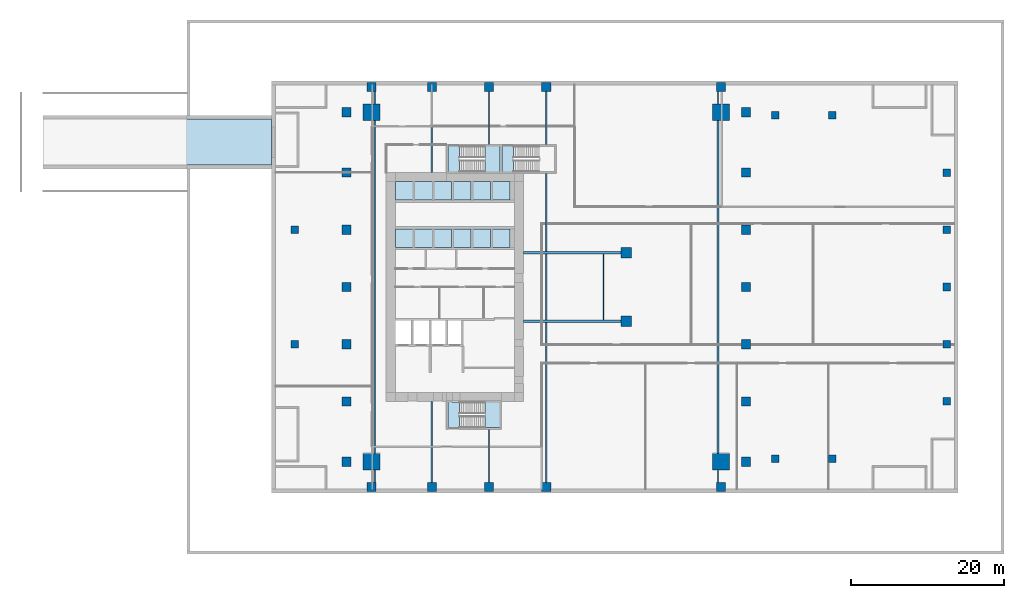
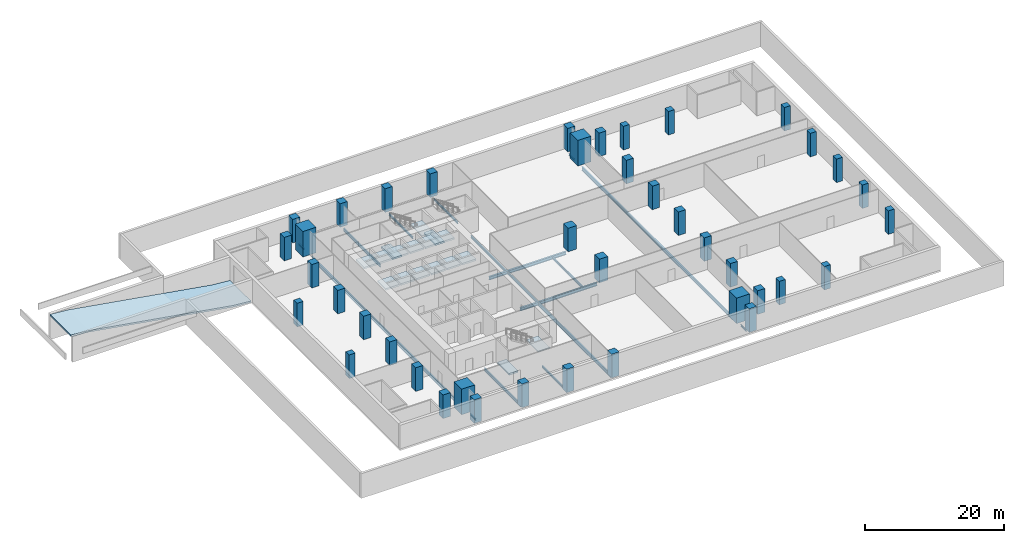
# One storey, part 1 of 11: 41 columns, 18 slabs, 17 beams, 2 elements without a shape of their own.
"""IFC4 building model written with IfcOpenShell, lengths in metres."""

import ifcopenshell
import ifcopenshell.guid

model = None  # the IFC model being written
_history = None  # IfcOwnerHistory: only IFC2X3 demands one
_inside = {}  # id of a spatial element -> (the spatial element, [elements in it])
_under = {}  # id of a project, library or spatial element -> (it, [spatial elements below it])
_declared = {}  # id of a project -> (the project, [libraries it declares])
_typed = {}  # id of a type object -> (the type object, [elements of that type])
_made_of = {}  # id of a material, layer set ... -> (it, [elements and type objects made of it])


def new_model(schema):
    """Start an empty IFC model of exactly this schema.

    Asked for "IFC4X3", IfcOpenShell would pick the latest addendum, in which some entities
    have other attributes; the version numbers below select the first issue.
    IFC2X3 requires an IfcOwnerHistory on every rooted entity: one is made here for all.
    """
    global model, _history
    if schema == "IFC4X3":
        model = ifcopenshell.file(schema_version=(4, 3, 0, 0))
    else:
        model = ifcopenshell.file(schema=schema)
    _inside.clear()
    _under.clear()
    _declared.clear()
    _typed.clear()
    _made_of.clear()
    _history = None
    if model.schema == "IFC2X3":
        org = make("IfcOrganization", Name="unknown")
        user = make(
            "IfcPersonAndOrganization",
            ThePerson=make("IfcPerson", FamilyName="unknown"),
            TheOrganization=org,
        )
        app = make(
            "IfcApplication",
            ApplicationDeveloper=org,
            Version="unknown",
            ApplicationFullName="unknown",
            ApplicationIdentifier="unknown",
        )
        _history = make(
            "IfcOwnerHistory",
            OwningUser=user,
            OwningApplication=app,
            ChangeAction="ADDED",
            CreationDate=0,
        )
    return model


def make(cls, **values):
    """One entity of the class cls with the attributes given. An attribute that is None is left unset."""
    return model.create_entity(
        cls, **{name: value for name, value in values.items() if value is not None}
    )


def rooted(cls, **values):
    """An entity with a GlobalId (a new one), such as an element, a storey or a relation."""
    return make(cls, GlobalId=ifcopenshell.guid.new(), OwnerHistory=_history, **values)


def si_unit(unit_type, name, prefix=None):
    """IfcSIUnit, for example si_unit("LENGTHUNIT", "METRE", prefix="MILLI")."""
    return make("IfcSIUnit", UnitType=unit_type, Prefix=prefix, Name=name)


def assignment(units):
    """IfcUnitAssignment: the units of a project."""
    return None if units is None else make("IfcUnitAssignment", Units=units)


def point(xyz):
    """IfcCartesianPoint."""
    return None if xyz is None else make("IfcCartesianPoint", Coordinates=xyz)


def direction(xyz):
    """IfcDirection."""
    return None if xyz is None else make("IfcDirection", DirectionRatios=xyz)


def frame(location, z_axis=None, x_axis=None):
    """IfcAxis2Placement3D, a coordinate frame: its origin and axes. An axis left out is left unset."""
    return make(
        "IfcAxis2Placement3D",
        Location=point(location),
        Axis=direction(z_axis),
        RefDirection=direction(x_axis),
    )


def frame_2d(location, x_axis=None):
    """IfcAxis2Placement2D, a coordinate frame in the plane: its origin and x axis."""
    return make(
        "IfcAxis2Placement2D", Location=point(location), RefDirection=direction(x_axis)
    )


def origin():
    """The frame at (0, 0, 0) with its axes left unset."""
    return frame((0.0, 0.0, 0.0))


def origin_2d():
    """The frame at (0, 0) in the plane with its x axis left unset."""
    return frame_2d((0.0, 0.0))


def place(relative_to, where):
    """IfcLocalPlacement: puts the frame where relative to a parent placement (None: the world)."""
    return make(
        "IfcLocalPlacement", PlacementRelTo=relative_to, RelativePlacement=where
    )


def context(
    kind, dimensions, precision=None, world=None, true_north=None, identifier=None
):
    """IfcGeometricRepresentationContext, for example the 3D "Model" context."""
    return make(
        "IfcGeometricRepresentationContext",
        ContextIdentifier=identifier,
        ContextType=kind,
        CoordinateSpaceDimension=dimensions,
        Precision=precision,
        WorldCoordinateSystem=world,
        TrueNorth=true_north,
    )


def subcontext(parent, identifier, kind, view, scale=None):
    """IfcGeometricRepresentationSubContext, for example "Body" below "Model"."""
    return make(
        "IfcGeometricRepresentationSubContext",
        ContextIdentifier=identifier,
        ContextType=kind,
        ParentContext=parent,
        TargetScale=scale,
        TargetView=view,
    )


def project(units=None, contexts=None):
    """IfcProject with its units and contexts."""
    return rooted(
        "IfcProject",
        Name="project",
        RepresentationContexts=contexts,
        UnitsInContext=assignment(units),
    )


def spatial(cls, under=None, at=None, **own):
    """A site, building, storey or space (cls), placed at a placement, below another one or the project."""
    s = rooted(cls, ObjectPlacement=at, **own)
    if under is not None:
        _under.setdefault(under.id(), (under, []))[1].append(s)
    return s


def polyline(points):
    """IfcPolyline through the points."""
    return make("IfcPolyline", Points=[point(p) for p in points])


def profile(cls, at=None, kind="AREA", **sizes):
    """A parametric profile (cls). Its sizes go by their IFC names, for example OverallWidth=200.0."""
    return make(cls, ProfileType=kind, Position=at, **sizes)


def rectangle(**sizes):
    """IfcRectangleProfileDef."""
    return profile("IfcRectangleProfileDef", **sizes)


def i_section(**sizes):
    """IfcIShapeProfileDef."""
    return profile("IfcIShapeProfileDef", **sizes)


def outline(outer, holes=None, kind="AREA"):
    """IfcArbitraryClosedProfileDef: a profile drawn as a closed curve; with holes, ...WithVoids."""
    if holes is None:
        return make("IfcArbitraryClosedProfileDef", ProfileType=kind, OuterCurve=outer)
    return make(
        "IfcArbitraryProfileDefWithVoids",
        ProfileType=kind,
        OuterCurve=outer,
        InnerCurves=holes,
    )


def extrude(swept, where, along, depth):
    """IfcExtrudedAreaSolid: the profile swept, set in the frame where, extruded along a direction by depth."""
    return make(
        "IfcExtrudedAreaSolid",
        SweptArea=swept,
        Position=where,
        ExtrudedDirection=direction(along),
        Depth=depth,
    )


def shape(context_of_items, identifier, shape_type, items):
    """IfcShapeRepresentation: the items that make up one representation, for example the "Body"."""
    return make(
        "IfcShapeRepresentation",
        ContextOfItems=context_of_items,
        RepresentationIdentifier=identifier,
        RepresentationType=shape_type,
        Items=items,
    )


def source(mapping_origin, context_of_items, identifier, shape_type, items):
    """IfcRepresentationMap: a shape defined once, which mapped items show again and again."""
    return make(
        "IfcRepresentationMap",
        MappingOrigin=mapping_origin,
        MappedRepresentation=shape(context_of_items, identifier, shape_type, items),
    )


def transform(
    local_origin,
    x_axis=None,
    y_axis=None,
    z_axis=None,
    scale=None,
    scale2=None,
    scale3=None,
    uniform=True,
):
    """IfcCartesianTransformationOperator3D, or its non-uniform kind. x_axis, y_axis, z_axis: its Axis1, 2, 3."""
    if uniform:
        return make(
            "IfcCartesianTransformationOperator3D",
            Axis1=direction(x_axis),
            Axis2=direction(y_axis),
            LocalOrigin=point(local_origin),
            Scale=scale,
            Axis3=direction(z_axis),
        )
    return make(
        "IfcCartesianTransformationOperator3DnonUniform",
        Axis1=direction(x_axis),
        Axis2=direction(y_axis),
        LocalOrigin=point(local_origin),
        Scale=scale,
        Axis3=direction(z_axis),
        Scale2=scale2,
        Scale3=scale3,
    )


def mapped(mapping_source, mapping_target):
    """IfcMappedItem: shows the shape of a source again, moved by a transform."""
    return make(
        "IfcMappedItem", MappingSource=mapping_source, MappingTarget=mapping_target
    )


def material(Name=None, Category=None):
    """IfcMaterial."""
    return make("IfcMaterial", Name=Name, Category=Category)


def layer(
    of_material, thickness, ventilated=None, Name=None, Category=None, Priority=None
):
    """IfcMaterialLayer: one layer of a wall or slab, of a material (None: an air gap)."""
    return make(
        "IfcMaterialLayer",
        Material=of_material,
        LayerThickness=thickness,
        IsVentilated=ventilated,
        Name=Name,
        Category=Category,
        Priority=Priority,
    )


def layer_set(layers, Name=None):
    """IfcMaterialLayerSet."""
    return make("IfcMaterialLayerSet", MaterialLayers=layers, LayerSetName=Name)


def material_profile(
    of_material, cross_section, Name=None, Category=None, Priority=None
):
    """IfcMaterialProfile: a cross section and its material."""
    return make(
        "IfcMaterialProfile",
        Name=Name,
        Material=of_material,
        Profile=cross_section,
        Priority=Priority,
        Category=Category,
    )


def profile_set(profiles, Name=None, composite=None):
    """IfcMaterialProfileSet."""
    return make(
        "IfcMaterialProfileSet",
        Name=Name,
        MaterialProfiles=profiles,
        CompositeProfile=composite,
    )


def made_of(thing, what):
    """Note that an element or type object is made of a material, layer set ...; save() writes the relation."""
    if what is not None:
        _made_of.setdefault(what.id(), (what, []))[1].append(thing)
    return thing


def type_object(cls, material=None, **own):
    """A type object (cls), such as IfcWallType, which elements share."""
    return made_of(rooted(cls, **own), material)


def element(
    cls,
    number,
    at=None,
    inside=None,
    cuts=None,
    type_object=None,
    material=None,
    context=None,
    identifier="Body",
    shape_type=None,
    held_by="IfcProductDefinitionShape",
    body=None,
    shapes=None,
    **own,
):
    """One element of the class cls, such as IfcWall. Its Tag is "e" and its number.

    at: its placement. inside: the storey or other place that contains it. cuts: it is an
    opening in that element (IfcRelVoidsElement). A single representation is given by context,
    identifier, shape_type and body (its items); several are given by shapes. held_by: the class
    of the entity that holds the representations. save() writes the other relations.
    """
    e = rooted(cls, Tag="e%d" % number, ObjectPlacement=at, **own)
    if body is not None:
        shapes = [shape(context, identifier, shape_type, body)]
    if shapes is not None:
        e.Representation = make(held_by, Representations=shapes)
    if inside is not None:
        _inside.setdefault(inside.id(), (inside, []))[1].append(e)
    if cuts is not None:
        rooted(
            "IfcRelVoidsElement", RelatingBuildingElement=cuts, RelatedOpeningElement=e
        )
    if type_object is not None:
        _typed.setdefault(type_object.id(), (type_object, []))[1].append(e)
    return made_of(e, material)


def aggregate(whole, parts):
    """IfcRelAggregates: a whole, such as a stair, and the parts it consists of."""
    return rooted("IfcRelAggregates", RelatingObject=whole, RelatedObjects=parts)


def save(model, path):
    """Write the relations noted so far, then the file.

    IfcRelAggregates (storeys below a building ...), IfcRelContainedInSpatialStructure (elements
    in a storey), IfcRelDefinesByType, IfcRelAssociatesMaterial and IfcRelDeclares: one each for
    every whole, place, type object, material and project.
    """
    for whole, parts in _under.values():
        aggregate(whole, parts)
    for where, things in _inside.values():
        rooted(
            "IfcRelContainedInSpatialStructure",
            RelatedElements=things,
            RelatingStructure=where,
        )
    for kind, things in _typed.values():
        rooted("IfcRelDefinesByType", RelatedObjects=things, RelatingType=kind)
    for what, things in _made_of.values():
        rooted("IfcRelAssociatesMaterial", RelatedObjects=things, RelatingMaterial=what)
    for by, libraries in _declared.values():
        rooted("IfcRelDeclares", RelatingContext=by, RelatedDefinitions=libraries)
    model.write(path)


model = new_model("IFC4")

# Units and contexts
model_context = context("Model", 3, precision=1e-05, world=origin(), true_north=direction((0.0, 1.0)))
body_context = subcontext(model_context, "Body", "Model", "MODEL_VIEW")
ifc_project = project(units=[si_unit("LENGTHUNIT", "METRE"), si_unit("AREAUNIT", "SQUARE_METRE"), si_unit("VOLUMEUNIT", "CUBIC_METRE"), si_unit("PLANEANGLEUNIT", "RADIAN"), si_unit("MASSUNIT", "GRAM", prefix="KILO")], contexts=[model_context])

# Site, building, storey
site_placement = place(None, origin())
site = spatial("IfcSite", under=ifc_project, at=site_placement, CompositionType="ELEMENT")
building_placement = place(site_placement, origin())
building = spatial("IfcBuilding", under=site, at=building_placement, Name="Khomas Fold Tower", CompositionType="ELEMENT")
storey_placement = place(building_placement, frame((0.0, 0.0, -4.5)))
storey = spatial("IfcBuildingStorey", under=building, at=storey_placement, Name="B1", CompositionType="ELEMENT", Elevation=-4.5)

# Columns
ifc_material_1 = material(Name="Concrete C70/85", Category="concrete")
ifc_material_profile_1 = material_profile(ifc_material_1, rectangle(XDim=2.199951171875, YDim=2.199951171875, at=origin_2d()), Name="RC 2200x2200")
ifc_profile_set_1 = profile_set([ifc_material_profile_1], Name="Concrete C70/85")
column_type_1 = type_object("IfcColumnType", Name="RC 2200x2200 column", PredefinedType="COLUMN", material=ifc_profile_set_1)
shared_shape_1 = source(origin(), body_context, "Body", "SweptSolid", [
    extrude(rectangle(XDim=2.199951171875, YDim=2.199951171875, at=origin_2d()), origin(), (0.0, 0.0, 1.0), 4.5),
])
for number, where, z_axis, x_axis, name in (
    (1, (49.89990234375, 49.89990234375, 0.0), (0.0, 0.0, 1.0), (1.0, 0.0, 0.0), "CM-NE"),
    (2, (4.10009765625, 49.89990234375, 0.0), (0.0, 0.0, 1.0), (1.0, 0.0, 0.0), "CM-NW"),
    (3, (49.89990234375, 4.10009765625, 0.0), (0.0, 0.0, 1.0), (1.0, 0.0, 0.0), "CM-SE"),
    (4, (4.10009765625, 4.10009765625, 0.0), (0.0, 0.0, 1.0), (1.0, 0.0, 0.0), "CM-SW"),
):
    element("IfcColumn", number, at=place(storey_placement, frame(where, z_axis=z_axis, x_axis=x_axis)), inside=storey, type_object=column_type_1, Name=name, PredefinedType="COLUMN", context=body_context, shape_type="MappedRepresentation", body=[
        mapped(shared_shape_1, transform((0.0, 0.0, 0.0))),
    ])
ifc_material_2 = material(Name="Concrete C60/75", Category="concrete")
ifc_material_profile_2 = material_profile(ifc_material_2, rectangle(XDim=1.199951171875, YDim=1.199951171875, at=origin_2d()), Name="RC 1200x1200")
ifc_profile_set_2 = profile_set([ifc_material_profile_2], Name="Concrete C60/75")
column_type_2 = type_object("IfcColumnType", Name="RC 1200x1200 column", PredefinedType="COLUMN", material=ifc_profile_set_2)
shared_shape_2 = source(origin(), body_context, "Body", "SweptSolid", [
    extrude(rectangle(XDim=1.199951171875, YDim=1.199951171875, at=origin_2d()), origin(), (0.0, 0.0, 1.0), 4.14990234375),
])
for number, where, z_axis, x_axis, name in (
    (5, (4.10009765625, 0.800048828125, 0.0), (0.0, 0.0, 1.0), (1.0, 0.0, 0.0), "C-2-SF1"),
    (6, (12.0, 0.800048828125, 0.0), (0.0, 0.0, 1.0), (1.0, 0.0, 0.0), "C-6-SF1"),
    (7, (19.5, 0.800048828125, 0.0), (0.0, 0.0, 1.0), (1.0, 0.0, 0.0), "C-8-SF1"),
    (8, (27.0, 0.800048828125, 0.0), (0.0, 0.0, 1.0), (1.0, 0.0, 0.0), "C-9-SF1"),
    (9, (49.89990234375, 0.800048828125, 0.0), (0.0, 0.0, 1.0), (1.0, 0.0, 0.0), "C-17-SF1"),
    (10, (53.199951171875, 4.10009765625, 0.0), (0.0, 0.0, 1.0), (1.0, 0.0, 0.0), "C-E1-A"),
    (11, (53.199951171875, 12.0, 0.0), (0.0, 0.0, 1.0), (1.0, 0.0, 0.0), "C-E1-F"),
    (12, (53.199951171875, 19.5, 0.0), (0.0, 0.0, 1.0), (1.0, 0.0, 0.0), "C-E1-J"),
    (13, (53.199951171875, 27.0, 0.0), (0.0, 0.0, 1.0), (1.0, 0.0, 0.0), "C-E1-L"),
    (14, (53.199951171875, 34.5, 0.0), (0.0, 0.0, 1.0), (1.0, 0.0, 0.0), "C-E1-N"),
    (15, (53.199951171875, 42.0, 0.0), (0.0, 0.0, 1.0), (1.0, 0.0, 0.0), "C-E1-R"),
    (16, (53.199951171875, 49.89990234375, 0.0), (0.0, 0.0, 1.0), (1.0, 0.0, 0.0), "C-E1-W"),
    (17, (4.10009765625, 53.199951171875, 0.0), (0.0, 0.0, 1.0), (1.0, 0.0, 0.0), "C-2-NF1"),
    (18, (12.0, 53.199951171875, 0.0), (0.0, 0.0, 1.0), (1.0, 0.0, 0.0), "C-6-NF1"),
    (19, (19.5, 53.199951171875, 0.0), (0.0, 0.0, 1.0), (1.0, 0.0, 0.0), "C-8-NF1"),
    (20, (27.0, 53.199951171875, 0.0), (0.0, 0.0, 1.0), (1.0, 0.0, 0.0), "C-9-NF1"),
    (21, (49.89990234375, 53.199951171875, 0.0), (0.0, 0.0, 1.0), (1.0, 0.0, 0.0), "C-17-NF1"),
    (22, (0.800048828125, 4.10009765625, 0.0), (0.0, 0.0, 1.0), (1.0, 0.0, 0.0), "C-W1-A"),
    (23, (0.800048828125, 12.0, 0.0), (0.0, 0.0, 1.0), (1.0, 0.0, 0.0), "C-W1-F"),
    (24, (0.800048828125, 19.5, 0.0), (0.0, 0.0, 1.0), (1.0, 0.0, 0.0), "C-W1-J"),
    (25, (0.800048828125, 27.0, 0.0), (0.0, 0.0, 1.0), (1.0, 0.0, 0.0), "C-W1-L"),
    (26, (0.800048828125, 34.5, 0.0), (0.0, 0.0, 1.0), (1.0, 0.0, 0.0), "C-W1-N"),
    (27, (0.800048828125, 42.0, 0.0), (0.0, 0.0, 1.0), (1.0, 0.0, 0.0), "C-W1-R"),
    (28, (0.800048828125, 49.89990234375, 0.0), (0.0, 0.0, 1.0), (1.0, 0.0, 0.0), "C-W1-W"),
):
    element("IfcColumn", number, at=place(storey_placement, frame(where, z_axis=z_axis, x_axis=x_axis)), inside=storey, type_object=column_type_2, Name=name, PredefinedType="COLUMN", context=body_context, shape_type="MappedRepresentation", body=[
        mapped(shared_shape_2, transform((0.0, 0.0, 0.0))),
    ])
ifc_material_3 = material(Name="Concrete C60/75", Category="concrete")
ifc_material_profile_3 = material_profile(ifc_material_3, rectangle(XDim=1.39990234375, YDim=1.39990234375, at=origin_2d()), Name="RC 1400x1400")
ifc_profile_set_3 = profile_set([ifc_material_profile_3], Name="Concrete C60/75")
column_type_3 = type_object("IfcColumnType", Name="RC 1400x1400 column", PredefinedType="COLUMN", material=ifc_profile_set_3)
shared_shape_3 = source(origin(), body_context, "Body", "SweptSolid", [
    extrude(rectangle(XDim=1.39990234375, YDim=1.39990234375, at=origin_2d()), origin(), (0.0, 0.0, 1.0), 4.14990234375),
])
for number, where, z_axis, x_axis, name in (
    (29, (37.5, 22.5, 0.0), (0.0, 0.0, 1.0), (1.0, 0.0, 0.0), "C-11-K"),
    (30, (37.5, 31.5, 0.0), (0.0, 0.0, 1.0), (1.0, 0.0, 0.0), "C-11-M"),
):
    element("IfcColumn", number, at=place(storey_placement, frame(where, z_axis=z_axis, x_axis=x_axis)), inside=storey, type_object=column_type_3, Name=name, PredefinedType="COLUMN", context=body_context, shape_type="MappedRepresentation", body=[
        mapped(shared_shape_3, transform((0.0, 0.0, 0.0))),
    ])
ifc_material_4 = material(Name="Concrete C50/60", Category="concrete")
ifc_material_profile_4 = material_profile(ifc_material_4, rectangle(XDim=1.0, YDim=1.0, at=origin_2d()), Name="RC 1000x1000")
ifc_profile_set_4 = profile_set([ifc_material_profile_4], Name="Concrete C50/60")
column_type_4 = type_object("IfcColumnType", Name="RC 1000x1000 column", PredefinedType="COLUMN", material=ifc_profile_set_4)
shared_shape_4 = source(origin(), body_context, "Body", "SweptSolid", [
    extrude(rectangle(XDim=1.0, YDim=1.0, at=origin_2d()), origin(), (0.0, 0.0, 1.0), 4.14990234375),
])
for number, where, z_axis, x_axis, name in (
    (31, (-6.0, 19.5, 0.0), (0.0, 0.0, 1.0), (1.0, 0.0, 0.0), "C-1-J"),
    (32, (-6.0, 34.5, 0.0), (0.0, 0.0, 1.0), (1.0, 0.0, 0.0), "C-1-N"),
    (33, (57.0, 4.5, 0.0), (0.0, 0.0, 1.0), (1.0, 0.0, 0.0), "C-18-B"),
    (34, (57.0, 49.5, 0.0), (0.0, 0.0, 1.0), (1.0, 0.0, 0.0), "C-18-V"),
    (35, (64.5, 4.5, 0.0), (0.0, 0.0, 1.0), (1.0, 0.0, 0.0), "C-19-B"),
    (36, (64.5, 49.5, 0.0), (0.0, 0.0, 1.0), (1.0, 0.0, 0.0), "C-19-V"),
    (37, (79.5, 12.0, 0.0), (0.0, 0.0, 1.0), (1.0, 0.0, 0.0), "C-20-F"),
    (38, (79.5, 19.5, 0.0), (0.0, 0.0, 1.0), (1.0, 0.0, 0.0), "C-20-J"),
    (39, (79.5, 27.0, 0.0), (0.0, 0.0, 1.0), (1.0, 0.0, 0.0), "C-20-L"),
    (40, (79.5, 34.5, 0.0), (0.0, 0.0, 1.0), (1.0, 0.0, 0.0), "C-20-N"),
    (41, (79.5, 42.0, 0.0), (0.0, 0.0, 1.0), (1.0, 0.0, 0.0), "C-20-R"),
):
    element("IfcColumn", number, at=place(storey_placement, frame(where, z_axis=z_axis, x_axis=x_axis)), inside=storey, type_object=column_type_4, Name=name, PredefinedType="COLUMN", context=body_context, shape_type="MappedRepresentation", body=[
        mapped(shared_shape_4, transform((0.0, 0.0, 0.0))),
    ])

# Beams
ifc_material_5 = material(Name="Steel S355", Category="steel")
ifc_material_profile_5 = material_profile(ifc_material_5, i_section(OverallWidth=0.300048828125, OverallDepth=0.550048828125, WebThickness=0.014892578125, FlangeThickness=0.029052734375, at=origin_2d()), Name="HE 550 B")
ifc_profile_set_5 = profile_set([ifc_material_profile_5], Name="Steel S355")
beam_type_1 = type_object("IfcBeamType", Name="HE 550 B beam GB4", PredefinedType="BEAM", material=ifc_profile_set_5)
shared_shape_5 = source(origin(), body_context, "Body", "SweptSolid", [
    extrude(i_section(OverallWidth=0.300048828125, OverallDepth=0.550048828125, WebThickness=0.014892578125, FlangeThickness=0.029052734375, at=origin_2d()), origin(), (0.0, 0.0, 1.0), 12.800048828125),
])
for number, where, z_axis, x_axis, name in (
    (42, (24.0, 22.5, -0.574951171875), (1.0, 0.0, 0.0), (0.0, 1.0, 0.0), "GB4"),
    (43, (24.0, 31.5, -0.574951171875), (1.0, 0.0, 0.0), (0.0, 1.0, 0.0), "GB4"),
):
    element("IfcBeam", number, at=place(storey_placement, frame(where, z_axis=z_axis, x_axis=x_axis)), inside=storey, type_object=beam_type_1, Name=name, PredefinedType="BEAM", context=body_context, shape_type="MappedRepresentation", body=[
        mapped(shared_shape_5, transform((0.0, 0.0, 0.0))),
    ])
ifc_material_6 = material(Name="Steel S355", Category="steel")
ifc_material_profile_6 = material_profile(ifc_material_6, i_section(OverallWidth=0.159912109375, OverallDepth=0.330078125, WebThickness=0.007568359375, FlangeThickness=0.011474609375, at=origin_2d()), Name="IPE 330")
ifc_profile_set_6 = profile_set([ifc_material_profile_6], Name="Steel S355")
beam_type_2 = type_object("IfcBeamType", Name="IPE 330 beam JB1", PredefinedType="BEAM", material=ifc_profile_set_6)
shared_shape_6 = source(origin(), body_context, "Body", "SweptSolid", [
    extrude(i_section(OverallWidth=0.159912109375, OverallDepth=0.330078125, WebThickness=0.007568359375, FlangeThickness=0.011474609375, at=origin_2d()), origin(), (0.0, 0.0, 1.0), 1.60009765625),
])
for number, where, z_axis, x_axis, name in (
    (44, (4.5, 1.39990234375, -0.465087890625), (0.0, 1.0, 0.0), (-1.0, 0.0, 0.0), "JB1"),
    (45, (4.5, 51.0, -0.465087890625), (0.0, 1.0, 0.0), (-1.0, 0.0, 0.0), "JB1"),
    (46, (49.5, 1.39990234375, -0.465087890625), (0.0, 1.0, 0.0), (-1.0, 0.0, 0.0), "JB1"),
    (47, (49.5, 51.0, -0.465087890625), (0.0, 1.0, 0.0), (-1.0, 0.0, 0.0), "JB1"),
):
    element("IfcBeam", number, at=place(storey_placement, frame(where, z_axis=z_axis, x_axis=x_axis)), inside=storey, type_object=beam_type_2, Name=name, PredefinedType="BEAM", context=body_context, shape_type="MappedRepresentation", body=[
        mapped(shared_shape_6, transform((0.0, 0.0, 0.0))),
    ])
ifc_material_7 = material(Name="Steel S355", Category="steel")
ifc_material_profile_7 = material_profile(ifc_material_7, i_section(OverallWidth=0.219970703125, OverallDepth=0.60009765625, WebThickness=0.011962890625, FlangeThickness=0.01904296875, at=origin_2d()), Name="IPE 600")
ifc_profile_set_7 = profile_set([ifc_material_profile_7], Name="Steel S355")
beam_type_3 = type_object("IfcBeamType", Name="IPE 600 beam JB7", PredefinedType="BEAM", material=ifc_profile_set_7)
shared_shape_7 = source(origin(), body_context, "Body", "SweptSolid", [
    extrude(i_section(OverallWidth=0.219970703125, OverallDepth=0.60009765625, WebThickness=0.011962890625, FlangeThickness=0.01904296875, at=origin_2d()), origin(), (0.0, 0.0, 1.0), 43.60009765625),
])
for number, where, z_axis, x_axis, name in (
    (48, (4.5, 5.199951171875, -0.60009765625), (0.0, 1.0, 0.0), (-1.0, 0.0, 0.0), "JB7"),
    (49, (49.5, 5.199951171875, -0.60009765625), (0.0, 1.0, 0.0), (-1.0, 0.0, 0.0), "JB7"),
):
    element("IfcBeam", number, at=place(storey_placement, frame(where, z_axis=z_axis, x_axis=x_axis)), inside=storey, type_object=beam_type_3, Name=name, PredefinedType="BEAM", context=body_context, shape_type="MappedRepresentation", body=[
        mapped(shared_shape_7, transform((0.0, 0.0, 0.0))),
    ])
ifc_material_8 = material(Name="Steel S355", Category="steel")
ifc_material_profile_8 = material_profile(ifc_material_8, i_section(OverallWidth=0.199951171875, OverallDepth=0.5, WebThickness=0.01025390625, FlangeThickness=0.01611328125, at=origin_2d()), Name="IPE 500")
ifc_profile_set_8 = profile_set([ifc_material_profile_8], Name="Steel S355")
beam_type_4 = type_object("IfcBeamType", Name="IPE 500 beam JB5", PredefinedType="BEAM", material=ifc_profile_set_8)
shared_shape_8 = source(origin(), body_context, "Body", "SweptSolid", [
    extrude(i_section(OverallWidth=0.199951171875, OverallDepth=0.5, WebThickness=0.01025390625, FlangeThickness=0.01611328125, at=origin_2d()), origin(), (0.0, 0.0, 1.0), 10.60009765625),
])
for number, where, z_axis, x_axis, name in (
    (50, (12.0, 1.39990234375, -0.550048828125), (0.0, 1.0, 0.0), (-1.0, 0.0, 0.0), "JB5"),
    (51, (12.0, 42.0, -0.550048828125), (0.0, 1.0, 0.0), (-1.0, 0.0, 0.0), "JB5"),
):
    element("IfcBeam", number, at=place(storey_placement, frame(where, z_axis=z_axis, x_axis=x_axis)), inside=storey, type_object=beam_type_4, Name=name, PredefinedType="BEAM", context=body_context, shape_type="MappedRepresentation", body=[
        mapped(shared_shape_8, transform((0.0, 0.0, 0.0))),
    ])
ifc_material_9 = material(Name="Steel S355", Category="steel")
ifc_material_profile_9 = material_profile(ifc_material_9, i_section(OverallWidth=0.169921875, OverallDepth=0.360107421875, WebThickness=0.008056640625, FlangeThickness=0.0126953125, at=origin_2d()), Name="IPE 360")
ifc_profile_set_9 = profile_set([ifc_material_profile_9], Name="Steel S355")
beam_type_5 = type_object("IfcBeamType", Name="IPE 360 beam JB2", PredefinedType="BEAM", material=ifc_profile_set_9)
shared_shape_9 = source(origin(), body_context, "Body", "SweptSolid", [
    extrude(i_section(OverallWidth=0.169921875, OverallDepth=0.360107421875, WebThickness=0.008056640625, FlangeThickness=0.0126953125, at=origin_2d()), origin(), (0.0, 0.0, 1.0), 6.9501953125),
])
for number, where, z_axis, x_axis, name in (
    (52, (19.5, 1.39990234375, -0.47998046875), (0.0, 1.0, 0.0), (-1.0, 0.0, 0.0), "JB2"),
    (53, (19.5, 45.64990234375, -0.47998046875), (0.0, 1.0, 0.0), (-1.0, 0.0, 0.0), "JB2"),
    (54, (27.0, 45.64990234375, -0.47998046875), (0.0, 1.0, 0.0), (-1.0, 0.0, 0.0), "JB2"),
):
    element("IfcBeam", number, at=place(storey_placement, frame(where, z_axis=z_axis, x_axis=x_axis)), inside=storey, type_object=beam_type_5, Name=name, PredefinedType="BEAM", context=body_context, shape_type="MappedRepresentation", body=[
        mapped(shared_shape_9, transform((0.0, 0.0, 0.0))),
    ])
shared_shape_10 = source(origin(), body_context, "Body", "SweptSolid", [
    extrude(i_section(OverallWidth=0.219970703125, OverallDepth=0.60009765625, WebThickness=0.011962890625, FlangeThickness=0.01904296875, at=origin_2d()), origin(), (0.0, 0.0, 1.0), 20.9501953125),
])
beam_1_placement = place(storey_placement, frame((27.0, 1.39990234375, -0.60009765625), z_axis=(0.0, 1.0, 0.0), x_axis=(-1.0, 0.0, 0.0)))
element("IfcBeam", 55, at=beam_1_placement, inside=storey, type_object=beam_type_3, Name="JB7", PredefinedType="BEAM", context=body_context, shape_type="MappedRepresentation", body=[
    mapped(shared_shape_10, transform((0.0, 0.0, 0.0))),
])
ifc_material_10 = material(Name="Steel S355", Category="steel")
ifc_material_profile_10 = material_profile(ifc_material_10, i_section(OverallWidth=0.179931640625, OverallDepth=0.39990234375, WebThickness=0.008544921875, FlangeThickness=0.013427734375, at=origin_2d()), Name="IPE 400")
ifc_profile_set_10 = profile_set([ifc_material_profile_10], Name="Steel S355")
beam_type_6 = type_object("IfcBeamType", Name="IPE 400 beam JB3", PredefinedType="BEAM", material=ifc_profile_set_10)
shared_shape_11 = source(origin(), body_context, "Body", "SweptSolid", [
    extrude(i_section(OverallWidth=0.179931640625, OverallDepth=0.39990234375, WebThickness=0.008544921875, FlangeThickness=0.013427734375, at=origin_2d()), origin(), (0.0, 0.0, 1.0), 8.7001953125),
])
for number, where, z_axis, x_axis, name in (
    (56, (27.0, 22.64990234375, -0.5), (0.0, 1.0, 0.0), (-1.0, 0.0, 0.0), "JB3"),
    (57, (34.5, 22.64990234375, -0.5), (0.0, 1.0, 0.0), (-1.0, 0.0, 0.0), "JB3"),
):
    element("IfcBeam", number, at=place(storey_placement, frame(where, z_axis=z_axis, x_axis=x_axis)), inside=storey, type_object=beam_type_6, Name=name, PredefinedType="BEAM", context=body_context, shape_type="MappedRepresentation", body=[
        mapped(shared_shape_11, transform((0.0, 0.0, 0.0))),
    ])
ifc_material_11 = material(Name="Steel S355", Category="steel")
ifc_material_profile_11 = material_profile(ifc_material_11, i_section(OverallWidth=0.18994140625, OverallDepth=0.449951171875, WebThickness=0.009521484375, FlangeThickness=0.0146484375, at=origin_2d()), Name="IPE 450")
ifc_profile_set_11 = profile_set([ifc_material_profile_11], Name="Steel S355")
beam_type_7 = type_object("IfcBeamType", Name="IPE 450 beam JB4", PredefinedType="BEAM", material=ifc_profile_set_11)
shared_shape_12 = source(origin(), body_context, "Body", "SweptSolid", [
    extrude(i_section(OverallWidth=0.18994140625, OverallDepth=0.449951171875, WebThickness=0.009521484375, FlangeThickness=0.0146484375, at=origin_2d()), origin(), (0.0, 0.0, 1.0), 10.25),
])
beam_2_placement = place(storey_placement, frame((27.0, 31.64990234375, -0.52490234375), z_axis=(0.0, 1.0, 0.0), x_axis=(-1.0, 0.0, 0.0)))
element("IfcBeam", 58, at=beam_2_placement, inside=storey, type_object=beam_type_7, Name="JB4", PredefinedType="BEAM", context=body_context, shape_type="MappedRepresentation", body=[
    mapped(shared_shape_12, transform((0.0, 0.0, 0.0))),
])

# Slabs
ifc_material_12 = material(Name="Concrete C40/50", Category="concrete")
ifc_layer_1 = layer(ifc_material_12, 0.300048828125)
ifc_layer_set_1 = layer_set([ifc_layer_1], Name="Concrete C40/50")
slab_type_1 = type_object("IfcSlabType", Name="Car ramp slab", PredefinedType="FLOOR", material=ifc_layer_set_1)
slab_1_placement = place(storey_placement, frame((-38.99462890625, 49.0, 4.5), z_axis=(0.0, 0.0, 1.0), x_axis=(1.0, 0.0, 0.0)))
element("IfcSlab", 59, at=slab_1_placement, inside=storey, type_object=slab_type_1, Name="Car ramp slab", PredefinedType="FLOOR", context=body_context, shape_type="SweptSolid", body=[
    extrude(outline(polyline([(0.0, 0.0), (3.0, -0.25), (26.99462890625, -4.25), (29.99462890625, -4.5), (29.99462890625, -4.801025390625), (26.99462890625, -4.55419921875), (3.0, -0.551025390625), (0.0, -0.301025390625), (0.0, 0.0)])), frame((0.0, 0.0, 0.0), z_axis=(0.0, -1.0, 0.0), x_axis=(1.0, 0.0, 0.0)), (0.0, 0.0, 1.0), 6.0),
])
ifc_material_13 = material(Name="Concrete C50/60", Category="concrete")
ifc_layer_2 = layer(ifc_material_13, 0.300048828125)
ifc_layer_set_2 = layer_set([ifc_layer_2], Name="Concrete C50/60")
slab_type_2 = type_object("IfcSlabType", Name="RC lift pit slab 300", PredefinedType="FLOOR", material=ifc_layer_set_2)
shared_shape_13 = source(origin(), body_context, "Body", "SweptSolid", [
    extrude(outline(polyline([(7.199951171875, 32.199951171875), (9.5, 32.199951171875), (9.5, 34.60009765625), (7.199951171875, 34.60009765625), (7.199951171875, 32.199951171875)])), origin(), (0.0, 0.0, 1.0), 0.300048828125),
])
slab_2_placement = place(storey_placement, frame((0.0, 0.0, 2.699951171875)))
element("IfcSlab", 60, at=slab_2_placement, inside=storey, type_object=slab_type_2, Name="Pit slab LR1", PredefinedType="FLOOR", context=body_context, shape_type="MappedRepresentation", body=[
    mapped(shared_shape_13, transform((0.0, 0.0, 0.0))),
])
shared_shape_14 = source(origin(), body_context, "Body", "SweptSolid", [
    extrude(outline(polyline([(9.75, 32.199951171875), (12.050048828125, 32.199951171875), (12.050048828125, 34.60009765625), (9.75, 34.60009765625), (9.75, 32.199951171875)])), origin(), (0.0, 0.0, 1.0), 0.300048828125),
])
slab_3_placement = place(storey_placement, frame((0.0, 0.0, 2.699951171875)))
element("IfcSlab", 61, at=slab_3_placement, inside=storey, type_object=slab_type_2, Name="Pit slab LR2", PredefinedType="FLOOR", context=body_context, shape_type="MappedRepresentation", body=[
    mapped(shared_shape_14, transform((0.0, 0.0, 0.0))),
])
shared_shape_15 = source(origin(), body_context, "Body", "SweptSolid", [
    extrude(outline(polyline([(12.300048828125, 32.199951171875), (14.60009765625, 32.199951171875), (14.60009765625, 34.60009765625), (12.300048828125, 34.60009765625), (12.300048828125, 32.199951171875)])), origin(), (0.0, 0.0, 1.0), 0.300048828125),
])
slab_4_placement = place(storey_placement, frame((0.0, 0.0, 2.699951171875)))
element("IfcSlab", 62, at=slab_4_placement, inside=storey, type_object=slab_type_2, Name="Pit slab LR3", PredefinedType="FLOOR", context=body_context, shape_type="MappedRepresentation", body=[
    mapped(shared_shape_15, transform((0.0, 0.0, 0.0))),
])
shared_shape_16 = source(origin(), body_context, "Body", "SweptSolid", [
    extrude(outline(polyline([(14.85009765625, 32.199951171875), (17.14990234375, 32.199951171875), (17.14990234375, 34.60009765625), (14.85009765625, 34.60009765625), (14.85009765625, 32.199951171875)])), origin(), (0.0, 0.0, 1.0), 0.300048828125),
])
slab_5_placement = place(storey_placement, frame((0.0, 0.0, 2.699951171875)))
element("IfcSlab", 63, at=slab_5_placement, inside=storey, type_object=slab_type_2, Name="Pit slab LR4", PredefinedType="FLOOR", context=body_context, shape_type="MappedRepresentation", body=[
    mapped(shared_shape_16, transform((0.0, 0.0, 0.0))),
])
shared_shape_17 = source(origin(), body_context, "Body", "SweptSolid", [
    extrude(outline(polyline([(17.39990234375, 32.199951171875), (19.699951171875, 32.199951171875), (19.699951171875, 34.60009765625), (17.39990234375, 34.60009765625), (17.39990234375, 32.199951171875)])), origin(), (0.0, 0.0, 1.0), 0.300048828125),
])
slab_6_placement = place(storey_placement, frame((0.0, 0.0, 2.699951171875)))
element("IfcSlab", 64, at=slab_6_placement, inside=storey, type_object=slab_type_2, Name="Pit slab S1", PredefinedType="FLOOR", context=body_context, shape_type="MappedRepresentation", body=[
    mapped(shared_shape_17, transform((0.0, 0.0, 0.0))),
])
shared_shape_18 = source(origin(), body_context, "Body", "SweptSolid", [
    extrude(outline(polyline([(19.949951171875, 32.199951171875), (22.25, 32.199951171875), (22.25, 34.60009765625), (19.949951171875, 34.60009765625), (19.949951171875, 32.199951171875)])), origin(), (0.0, 0.0, 1.0), 0.300048828125),
])
slab_7_placement = place(storey_placement, frame((0.0, 0.0, 2.699951171875)))
element("IfcSlab", 65, at=slab_7_placement, inside=storey, type_object=slab_type_2, Name="Pit slab S2", PredefinedType="FLOOR", context=body_context, shape_type="MappedRepresentation", body=[
    mapped(shared_shape_18, transform((0.0, 0.0, 0.0))),
])
shared_shape_19 = source(origin(), body_context, "Body", "SweptSolid", [
    extrude(outline(polyline([(7.199951171875, 38.39990234375), (9.5, 38.39990234375), (9.5, 40.800048828125), (7.199951171875, 40.800048828125), (7.199951171875, 38.39990234375)])), origin(), (0.0, 0.0, 1.0), 0.300048828125),
])
slab_8_placement = place(storey_placement, frame((0.0, 0.0, 2.699951171875)))
element("IfcSlab", 66, at=slab_8_placement, inside=storey, type_object=slab_type_2, Name="Pit slab LR5", PredefinedType="FLOOR", context=body_context, shape_type="MappedRepresentation", body=[
    mapped(shared_shape_19, transform((0.0, 0.0, 0.0))),
])
shared_shape_20 = source(origin(), body_context, "Body", "SweptSolid", [
    extrude(outline(polyline([(9.75, 38.39990234375), (12.050048828125, 38.39990234375), (12.050048828125, 40.800048828125), (9.75, 40.800048828125), (9.75, 38.39990234375)])), origin(), (0.0, 0.0, 1.0), 0.300048828125),
])
slab_9_placement = place(storey_placement, frame((0.0, 0.0, 2.699951171875)))
element("IfcSlab", 67, at=slab_9_placement, inside=storey, type_object=slab_type_2, Name="Pit slab LR6", PredefinedType="FLOOR", context=body_context, shape_type="MappedRepresentation", body=[
    mapped(shared_shape_20, transform((0.0, 0.0, 0.0))),
])
shared_shape_21 = source(origin(), body_context, "Body", "SweptSolid", [
    extrude(outline(polyline([(12.300048828125, 38.39990234375), (14.60009765625, 38.39990234375), (14.60009765625, 40.800048828125), (12.300048828125, 40.800048828125), (12.300048828125, 38.39990234375)])), origin(), (0.0, 0.0, 1.0), 0.300048828125),
])
slab_10_placement = place(storey_placement, frame((0.0, 0.0, 2.699951171875)))
element("IfcSlab", 68, at=slab_10_placement, inside=storey, type_object=slab_type_2, Name="Pit slab LR7", PredefinedType="FLOOR", context=body_context, shape_type="MappedRepresentation", body=[
    mapped(shared_shape_21, transform((0.0, 0.0, 0.0))),
])
shared_shape_22 = source(origin(), body_context, "Body", "SweptSolid", [
    extrude(outline(polyline([(14.85009765625, 38.39990234375), (17.14990234375, 38.39990234375), (17.14990234375, 40.800048828125), (14.85009765625, 40.800048828125), (14.85009765625, 38.39990234375)])), origin(), (0.0, 0.0, 1.0), 0.300048828125),
])
slab_11_placement = place(storey_placement, frame((0.0, 0.0, 2.699951171875)))
element("IfcSlab", 69, at=slab_11_placement, inside=storey, type_object=slab_type_2, Name="Pit slab LR8", PredefinedType="FLOOR", context=body_context, shape_type="MappedRepresentation", body=[
    mapped(shared_shape_22, transform((0.0, 0.0, 0.0))),
])
shared_shape_23 = source(origin(), body_context, "Body", "SweptSolid", [
    extrude(outline(polyline([(17.39990234375, 38.39990234375), (19.699951171875, 38.39990234375), (19.699951171875, 40.800048828125), (17.39990234375, 40.800048828125), (17.39990234375, 38.39990234375)])), origin(), (0.0, 0.0, 1.0), 0.300048828125),
])
slab_12_placement = place(storey_placement, frame((0.0, 0.0, 2.699951171875)))
element("IfcSlab", 70, at=slab_12_placement, inside=storey, type_object=slab_type_2, Name="Pit slab S3", PredefinedType="FLOOR", context=body_context, shape_type="MappedRepresentation", body=[
    mapped(shared_shape_23, transform((0.0, 0.0, 0.0))),
])
shared_shape_24 = source(origin(), body_context, "Body", "SweptSolid", [
    extrude(outline(polyline([(19.949951171875, 38.39990234375), (22.25, 38.39990234375), (22.25, 40.800048828125), (19.949951171875, 40.800048828125), (19.949951171875, 38.39990234375)])), origin(), (0.0, 0.0, 1.0), 0.300048828125),
])
slab_13_placement = place(storey_placement, frame((0.0, 0.0, 2.699951171875)))
element("IfcSlab", 71, at=slab_13_placement, inside=storey, type_object=slab_type_2, Name="Pit slab S4", PredefinedType="FLOOR", context=body_context, shape_type="MappedRepresentation", body=[
    mapped(shared_shape_24, transform((0.0, 0.0, 0.0))),
])

# Stair, slab
ifc_material_14 = material(Name="Concrete C40/50", Category="concrete")
stair_type_1 = type_object("IfcStairType", Name="Stair ST1", PredefinedType="HALF_TURN_STAIR", material=ifc_material_14)
stair_1_placement = place(storey_placement, origin())
stair_1 = element("IfcStair", 72, at=stair_1_placement, inside=storey, type_object=stair_type_1, Name="B1 ST1", PredefinedType="HALF_TURN_STAIR")
ifc_material_15 = material(Name="Concrete C40/50", Category="concrete")
ifc_layer_3 = layer(ifc_material_15, 0.199951171875)
ifc_layer_set_3 = layer_set([ifc_layer_3], Name="Concrete C40/50")
slab_type_3 = type_object("IfcSlabType", Name="Stair landing 200", PredefinedType="LANDING", material=ifc_layer_set_3)
shared_shape_25 = source(origin(), body_context, "Body", "SweptSolid", [
    extrude(outline(polyline([(18.9599609375, 42.10009765625), (20.89990234375, 42.10009765625), (20.89990234375, 45.449951171875), (18.9599609375, 45.449951171875), (18.9599609375, 42.10009765625)])), origin(), (0.0, 0.0, 1.0), 0.199951171875),
])
slab_14_placement = place(storey_placement, frame((0.0, 0.0, 2.050048828125)))
slab_14 = element("IfcSlab", 73, at=slab_14_placement, type_object=slab_type_3, Name="ST1 landing 1", PredefinedType="LANDING", context=body_context, shape_type="MappedRepresentation", body=[
    mapped(shared_shape_25, transform((0.0, 0.0, 0.0))),
])
aggregate(stair_1, [slab_14])

# Slab
ifc_material_16 = material(Name="Concrete C40/50", Category="concrete")
ifc_layer_4 = layer(ifc_material_16, 0.300048828125)
ifc_layer_set_4 = layer_set([ifc_layer_4], Name="Concrete C40/50")
slab_type_4 = type_object("IfcSlabType", Name="Stair floor landing 300", PredefinedType="LANDING", material=ifc_layer_set_4)
shared_shape_26 = source(origin(), body_context, "Body", "SweptSolid", [
    extrude(outline(polyline([(14.10009765625, 45.449951171875), (15.60009765625, 45.449951171875), (15.60009765625, 42.10009765625), (14.10009765625, 42.10009765625), (14.10009765625, 45.449951171875)])), origin(), (0.0, 0.0, 1.0), 0.300048828125),
])
slab_15_placement = place(storey_placement, frame((0.0, 0.0, -0.300048828125)))
element("IfcSlab", 74, at=slab_15_placement, inside=storey, type_object=slab_type_4, Name="ST1 floor landing", PredefinedType="LANDING", context=body_context, shape_type="MappedRepresentation", body=[
    mapped(shared_shape_26, transform((0.0, 0.0, 0.0))),
])

# Stair, slab
ifc_material_17 = material(Name="Concrete C40/50", Category="concrete")
stair_type_2 = type_object("IfcStairType", Name="Stair ST2", PredefinedType="HALF_TURN_STAIR", material=ifc_material_17)
stair_2_placement = place(storey_placement, origin())
stair_2 = element("IfcStair", 75, at=stair_2_placement, inside=storey, type_object=stair_type_2, Name="B1 ST2", PredefinedType="HALF_TURN_STAIR")
shared_shape_27 = source(origin(), body_context, "Body", "SweptSolid", [
    extrude(outline(polyline([(18.9599609375, 8.550048828125), (20.89990234375, 8.550048828125), (20.89990234375, 11.89990234375), (18.9599609375, 11.89990234375), (18.9599609375, 8.550048828125)])), origin(), (0.0, 0.0, 1.0), 0.199951171875),
])
slab_16_placement = place(storey_placement, frame((0.0, 0.0, 2.050048828125)))
slab_16 = element("IfcSlab", 76, at=slab_16_placement, type_object=slab_type_3, Name="ST2 landing 1", PredefinedType="LANDING", context=body_context, shape_type="MappedRepresentation", body=[
    mapped(shared_shape_27, transform((0.0, 0.0, 0.0))),
])
aggregate(stair_2, [slab_16])

# Slabs
shared_shape_28 = source(origin(), body_context, "Body", "SweptSolid", [
    extrude(outline(polyline([(14.10009765625, 11.89990234375), (15.60009765625, 11.89990234375), (15.60009765625, 8.550048828125), (14.10009765625, 8.550048828125), (14.10009765625, 11.89990234375)])), origin(), (0.0, 0.0, 1.0), 0.300048828125),
])
slab_17_placement = place(storey_placement, frame((0.0, 0.0, -0.300048828125)))
element("IfcSlab", 77, at=slab_17_placement, inside=storey, type_object=slab_type_4, Name="ST2 floor landing", PredefinedType="LANDING", context=body_context, shape_type="MappedRepresentation", body=[
    mapped(shared_shape_28, transform((0.0, 0.0, 0.0))),
])
shared_shape_29 = source(origin(), body_context, "Body", "SweptSolid", [
    extrude(outline(polyline([(21.199951171875, 45.449951171875), (22.699951171875, 45.449951171875), (22.699951171875, 42.10009765625), (21.199951171875, 42.10009765625), (21.199951171875, 45.449951171875)])), origin(), (0.0, 0.0, 1.0), 0.300048828125),
])
slab_18_placement = place(storey_placement, frame((0.0, 0.0, -0.300048828125)))
element("IfcSlab", 78, at=slab_18_placement, inside=storey, type_object=slab_type_4, Name="ST3 floor landing", PredefinedType="LANDING", context=body_context, shape_type="MappedRepresentation", body=[
    mapped(shared_shape_29, transform((0.0, 0.0, 0.0))),
])

save(model, "model.ifc")
